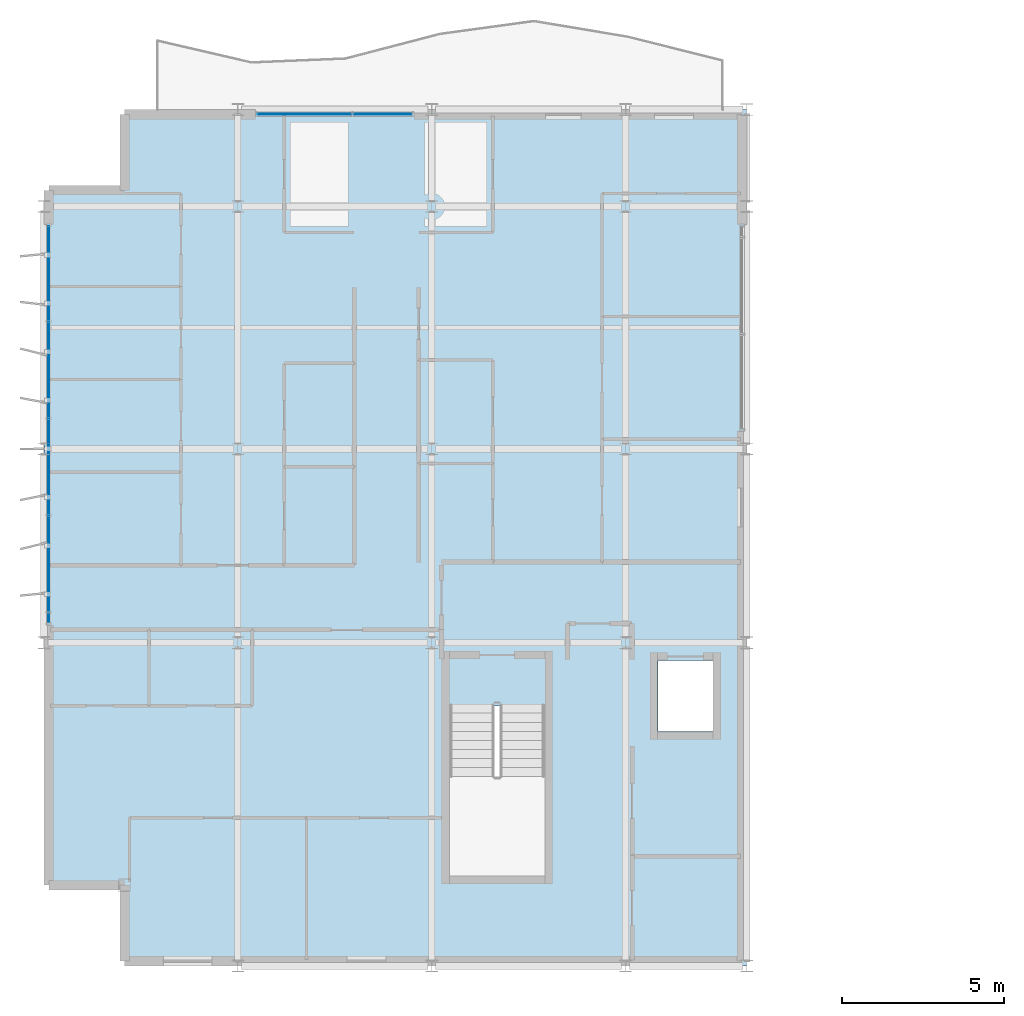
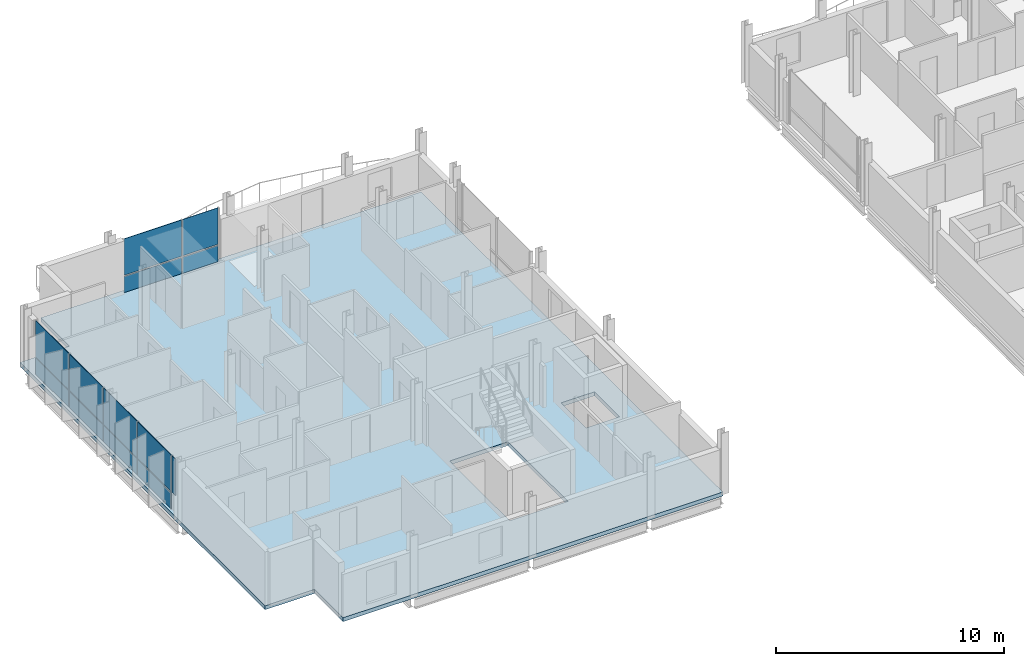
# One storey, part 16 of 30: 13 plates, 1 slab, 2 elements without a shape of their own.
"""IFC4 building model written with IfcOpenShell, lengths in metres."""

from ifc_helpers import new_model, si_unit, direction, frame, origin, origin_2d, place, context, subcontext, project, spatial, polyline, rectangle, outline, extrude, material, layer, layer_set, type_object, element, aggregate, save


model = new_model("IFC4")

# Units and contexts
model_context = context("Model", 3, precision=1e-05, world=origin(), true_north=direction((0.0, 1.0)))
body_context = subcontext(model_context, "Body", "Model", "MODEL_VIEW")
ifc_project = project(units=[si_unit("LENGTHUNIT", "METRE"), si_unit("AREAUNIT", "SQUARE_METRE"), si_unit("VOLUMEUNIT", "CUBIC_METRE"), si_unit("PLANEANGLEUNIT", "RADIAN"), si_unit("MASSUNIT", "GRAM", prefix="KILO")], contexts=[model_context])

# Site, building, storey
site_placement = place(None, origin())
site = spatial("IfcSite", under=ifc_project, at=site_placement, CompositionType="ELEMENT")
building_placement = place(site_placement, origin())
building = spatial("IfcBuilding", under=site, at=building_placement, Name="Brevholm Reach", CompositionType="ELEMENT")
storey_placement = place(building_placement, frame((0.0, 0.0, 211.10009765625)))
storey = spatial("IfcBuildingStorey", under=building, at=storey_placement, Name="L64", CompositionType="ELEMENT", Elevation=211.10009765625)

# Curtain wall, plates
ifc_material_1 = material(Name="Dark Anodised Aluminium 6063-T6 and Solar-Control Glass", Category="aluminium")
ifc_layer_1 = layer(ifc_material_1, 0.14990234375)
ifc_layer_set_1 = layer_set([ifc_layer_1], Name="Dark Anodised Aluminium 6063-T6 and Solar-Control Glass")
curtain_wall_type = type_object("IfcCurtainWallType", Name="CW-01", PredefinedType="NOTDEFINED", material=ifc_layer_set_1)
curtain_wall_1_placement = place(storey_placement, origin())
curtain_wall_1 = element("IfcCurtainWall", 1, at=curtain_wall_1_placement, inside=storey, type_object=curtain_wall_type, Name="L64 Curtain Wall CW-01", PredefinedType="NOTDEFINED")
ifc_material_2 = material(Name="Dark Solar-Control Double-Glazed IGU Glass", Category="glass")
ifc_layer_2 = layer(ifc_material_2, 0.028076171875)
ifc_layer_set_2 = layer_set([ifc_layer_2], Name="Dark Solar-Control Double-Glazed IGU Glass")
plate_type = type_object("IfcPlateType", Name="CWP-GLZ-28", PredefinedType="CURTAIN_PANEL", material=ifc_layer_set_2)
plate_1_placement = place(storey_placement, frame((0.14990234375, 21.433837890625, 0.0), z_axis=(0.0, 0.0, 1.0), x_axis=(0.0, -1.0, 0.0)))
plate_1 = element("IfcPlate", 2, at=plate_1_placement, type_object=plate_type, Name="CP-01 Glazing Panel 1.1", PredefinedType="CURTAIN_PANEL", context=body_context, shape_type="SweptSolid", body=[
    extrude(rectangle(XDim=2.902587890625, YDim=0.028076171875, at=origin_2d()), origin(), (0.0, 0.0, 1.0), 0.867431640625),
])
plate_2_placement = place(storey_placement, frame((0.14990234375, 21.433837890625, 0.9326171875), z_axis=(0.0, 0.0, 1.0), x_axis=(0.0, -1.0, 0.0)))
plate_2 = element("IfcPlate", 3, at=plate_2_placement, type_object=plate_type, Name="CP-01 Glazing Panel 1.2", PredefinedType="CURTAIN_PANEL", context=body_context, shape_type="SweptSolid", body=[
    extrude(rectangle(XDim=2.902587890625, YDim=0.028076171875, at=origin_2d()), origin(), (0.0, 0.0, 1.0), 1.947509765625),
])
plate_3_placement = place(storey_placement, frame((0.14990234375, 18.449951171875, 0.0), z_axis=(0.0, 0.0, 1.0), x_axis=(0.0, -1.0, 0.0)))
plate_3 = element("IfcPlate", 4, at=plate_3_placement, type_object=plate_type, Name="CP-01 Glazing Panel 2.1", PredefinedType="CURTAIN_PANEL", context=body_context, shape_type="SweptSolid", body=[
    extrude(rectangle(XDim=2.93505859375, YDim=0.028076171875, at=origin_2d()), origin(), (0.0, 0.0, 1.0), 0.867431640625),
])
plate_4_placement = place(storey_placement, frame((0.14990234375, 18.449951171875, 0.9326171875), z_axis=(0.0, 0.0, 1.0), x_axis=(0.0, -1.0, 0.0)))
plate_4 = element("IfcPlate", 5, at=plate_4_placement, type_object=plate_type, Name="CP-01 Glazing Panel 2.2", PredefinedType="CURTAIN_PANEL", context=body_context, shape_type="SweptSolid", body=[
    extrude(rectangle(XDim=2.93505859375, YDim=0.028076171875, at=origin_2d()), origin(), (0.0, 0.0, 1.0), 1.947509765625),
])
plate_5_placement = place(storey_placement, frame((0.14990234375, 15.449951171875, 0.0), z_axis=(0.0, 0.0, 1.0), x_axis=(0.0, -1.0, 0.0)))
plate_5 = element("IfcPlate", 6, at=plate_5_placement, type_object=plate_type, Name="CP-01 Glazing Panel 3.1", PredefinedType="CURTAIN_PANEL", context=body_context, shape_type="SweptSolid", body=[
    extrude(rectangle(XDim=2.93505859375, YDim=0.028076171875, at=origin_2d()), origin(), (0.0, 0.0, 1.0), 0.867431640625),
])
plate_6_placement = place(storey_placement, frame((0.14990234375, 15.449951171875, 0.9326171875), z_axis=(0.0, 0.0, 1.0), x_axis=(0.0, -1.0, 0.0)))
plate_6 = element("IfcPlate", 7, at=plate_6_placement, type_object=plate_type, Name="CP-01 Glazing Panel 3.2", PredefinedType="CURTAIN_PANEL", context=body_context, shape_type="SweptSolid", body=[
    extrude(rectangle(XDim=2.93505859375, YDim=0.028076171875, at=origin_2d()), origin(), (0.0, 0.0, 1.0), 1.947509765625),
])
plate_7_placement = place(storey_placement, frame((0.14990234375, 12.449951171875, 0.0), z_axis=(0.0, 0.0, 1.0), x_axis=(0.0, -1.0, 0.0)))
plate_7 = element("IfcPlate", 8, at=plate_7_placement, type_object=plate_type, Name="CP-01 Glazing Panel 4.1", PredefinedType="CURTAIN_PANEL", context=body_context, shape_type="SweptSolid", body=[
    extrude(rectangle(XDim=2.93505859375, YDim=0.028076171875, at=origin_2d()), origin(), (0.0, 0.0, 1.0), 0.867431640625),
])
plate_8_placement = place(storey_placement, frame((0.14990234375, 12.449951171875, 0.9326171875), z_axis=(0.0, 0.0, 1.0), x_axis=(0.0, -1.0, 0.0)))
plate_8 = element("IfcPlate", 9, at=plate_8_placement, type_object=plate_type, Name="CP-01 Glazing Panel 4.2", PredefinedType="CURTAIN_PANEL", context=body_context, shape_type="SweptSolid", body=[
    extrude(rectangle(XDim=2.93505859375, YDim=0.028076171875, at=origin_2d()), origin(), (0.0, 0.0, 1.0), 1.947509765625),
])
plate_9_placement = place(storey_placement, frame((0.14990234375, 10.766357421875, 0.9326171875), z_axis=(0.0, 0.0, 1.0), x_axis=(0.0, -1.0, 0.0)))
plate_9 = element("IfcPlate", 10, at=plate_9_placement, type_object=plate_type, Name="CP-01 Glazing Panel 5.2", PredefinedType="CURTAIN_PANEL", context=body_context, shape_type="SweptSolid", body=[
    extrude(rectangle(XDim=0.302490234375, YDim=0.028076171875, at=origin_2d()), origin(), (0.0, 0.0, 1.0), 1.947509765625),
])
aggregate(curtain_wall_1, [plate_1, plate_2, plate_3, plate_4, plate_5, plate_6, plate_7, plate_8, plate_9])

curtain_wall_2_placement = place(storey_placement, origin())
curtain_wall_2 = element("IfcCurtainWall", 11, at=curtain_wall_2_placement, inside=storey, type_object=curtain_wall_type, Name="L64 Curtain Wall CW-01", PredefinedType="NOTDEFINED")
plate_10_placement = place(storey_placement, frame((8.066162109375, 26.35009765625, 0.0), z_axis=(0.0, 0.0, 1.0), x_axis=(1.0, 0.0, 0.0)))
plate_10 = element("IfcPlate", 12, at=plate_10_placement, type_object=plate_type, Name="CP-01 Glazing Panel 1.1", PredefinedType="CURTAIN_PANEL", context=body_context, shape_type="SweptSolid", body=[
    extrude(rectangle(XDim=2.902587890625, YDim=0.028076171875, at=origin_2d()), origin(), (0.0, 0.0, 1.0), 0.867431640625),
])
plate_11_placement = place(storey_placement, frame((8.066162109375, 26.35009765625, 0.9326171875), z_axis=(0.0, 0.0, 1.0), x_axis=(1.0, 0.0, 0.0)))
plate_11 = element("IfcPlate", 13, at=plate_11_placement, type_object=plate_type, Name="CP-01 Glazing Panel 1.2", PredefinedType="CURTAIN_PANEL", context=body_context, shape_type="SweptSolid", body=[
    extrude(rectangle(XDim=2.902587890625, YDim=0.028076171875, at=origin_2d()), origin(), (0.0, 0.0, 1.0), 1.947509765625),
])
plate_12_placement = place(storey_placement, frame((10.483642578125, 26.35009765625, 0.0), z_axis=(0.0, 0.0, 1.0), x_axis=(1.0, 0.0, 0.0)))
plate_12 = element("IfcPlate", 14, at=plate_12_placement, type_object=plate_type, Name="CP-01 Glazing Panel 2.1", PredefinedType="CURTAIN_PANEL", context=body_context, shape_type="SweptSolid", body=[
    extrude(rectangle(XDim=1.802490234375, YDim=0.028076171875, at=origin_2d()), origin(), (0.0, 0.0, 1.0), 0.867431640625),
])
plate_13_placement = place(storey_placement, frame((10.483642578125, 26.35009765625, 0.9326171875), z_axis=(0.0, 0.0, 1.0), x_axis=(1.0, 0.0, 0.0)))
plate_13 = element("IfcPlate", 15, at=plate_13_placement, type_object=plate_type, Name="CP-01 Glazing Panel 2.2", PredefinedType="CURTAIN_PANEL", context=body_context, shape_type="SweptSolid", body=[
    extrude(rectangle(XDim=1.802490234375, YDim=0.028076171875, at=origin_2d()), origin(), (0.0, 0.0, 1.0), 1.947509765625),
])
aggregate(curtain_wall_2, [plate_10, plate_11, plate_12, plate_13])

# Slab
ifc_material_3 = material(Name="Concrete C40/50", Category="concrete")
ifc_layer_3 = layer(ifc_material_3, 0.2099609375)
ifc_layer_set_3 = layer_set([ifc_layer_3], Name="Concrete C40/50")
slab_type = type_object("IfcSlabType", Name="SLB-FL-210", PredefinedType="FLOOR", material=ifc_layer_set_3)
slab_placement = place(storey_placement, frame((0.0, 0.0, -0.210205078125)))
element("IfcSlab", 16, at=slab_placement, inside=storey, type_object=slab_type, Name="L64 Suspended Floor Slab (west-wing)", PredefinedType="FLOOR", context=body_context, shape_type="SweptSolid", body=[
    extrude(outline(polyline([(2.5, 0.0), (21.75, 0.0), (21.75, 26.5), (2.5, 26.5), (2.5, 24.0), (0.0, 24.0), (0.0, 2.5), (2.5, 2.5), (2.5, 0.0)]), holes=[polyline([(12.550048828125, 2.780029296875), (15.5, 2.780029296875), (15.5, 8.044921875), (12.550048828125, 8.044921875), (12.550048828125, 2.780029296875)]), polyline([(19.0, 7.25), (20.699951171875, 7.25), (20.699951171875, 9.449951171875), (19.0, 9.449951171875), (19.0, 7.25)])]), origin(), (0.0, 0.0, 1.0), 0.210205078125),
])

save(model, "model.ifc")
